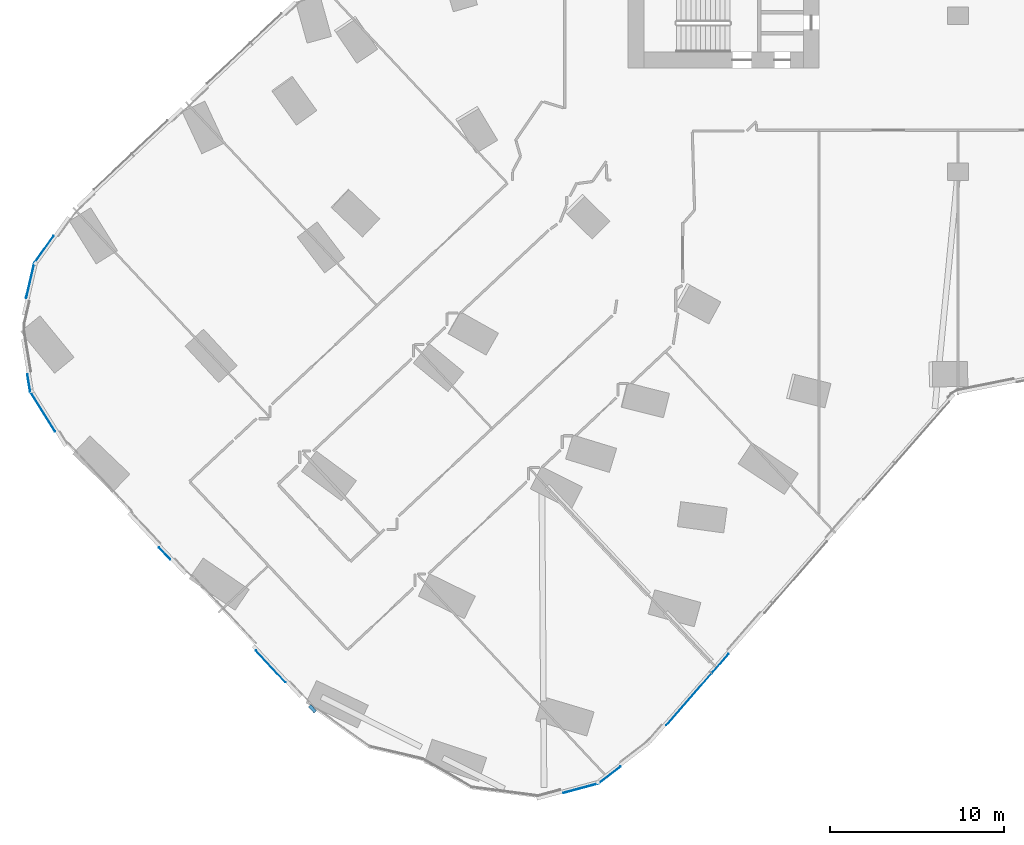
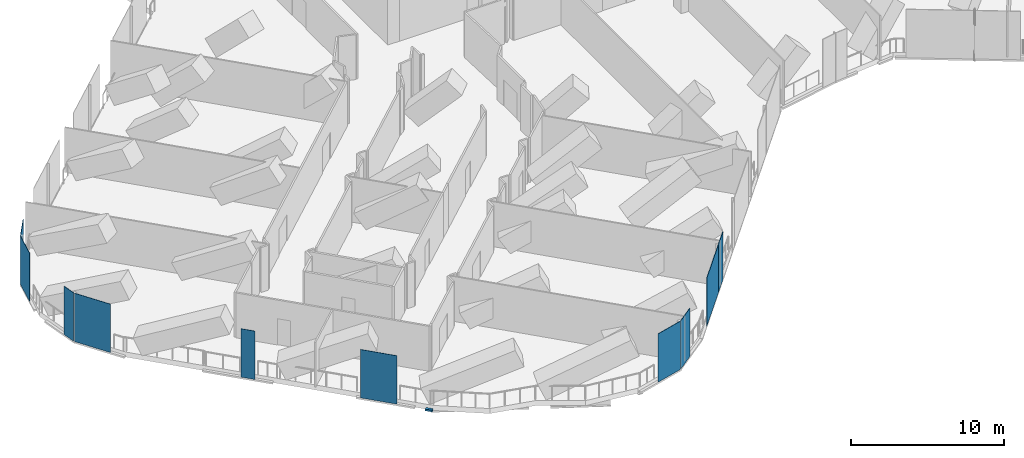
# One storey, part 15 of 31: 10 plates, 1 member, 8 elements without a shape of their own.
"""IFC4 building model written with IfcOpenShell, lengths in metres."""

from ifc_helpers import new_model, si_unit, direction, frame, origin, origin_2d, place, context, subcontext, project, spatial, rectangle, extrude, material, layer, layer_set, material_profile, profile_set, type_object, element, aggregate, save


model = new_model("IFC4")

# Units and contexts
model_context = context("Model", 3, precision=1e-05, world=origin(), true_north=direction((0.0, 1.0)))
body_context = subcontext(model_context, "Body", "Model", "MODEL_VIEW")
ifc_project = project(units=[si_unit("LENGTHUNIT", "METRE"), si_unit("AREAUNIT", "SQUARE_METRE"), si_unit("VOLUMEUNIT", "CUBIC_METRE"), si_unit("PLANEANGLEUNIT", "RADIAN"), si_unit("MASSUNIT", "GRAM", prefix="KILO")], contexts=[model_context])

# Site, building, storey
site_placement = place(None, origin())
site = spatial("IfcSite", under=ifc_project, at=site_placement, CompositionType="ELEMENT")
building_placement = place(site_placement, origin())
building = spatial("IfcBuilding", under=site, at=building_placement, Name="Orlundy Tower", CompositionType="ELEMENT")
storey_placement = place(building_placement, frame((0.0, 0.0, 54.800048828125)))
storey = spatial("IfcBuildingStorey", under=building, at=storey_placement, Name="L12", CompositionType="ELEMENT", Elevation=54.800048828125)

# Curtain wall, member
ifc_material_1 = material(Name="Aluminium bronze anodised", Category="aluminium")
curtain_wall_type = type_object("IfcCurtainWallType", Name="CW5 wall", PredefinedType="NOTDEFINED", material=ifc_material_1)
curtain_wall_1_placement = place(storey_placement, origin())
curtain_wall_1 = element("IfcCurtainWall", 1, at=curtain_wall_1_placement, inside=storey, type_object=curtain_wall_type, Name="CW5 run 07", PredefinedType="NOTDEFINED")
ifc_material_2 = material(Name="Aluminium bronze anodised", Category="aluminium")
ifc_material_profile = material_profile(ifc_material_2, rectangle(XDim=0.199951171875, YDim=0.139892578125, at=origin_2d()), Name="CW5 transom 200x140")
ifc_profile_set = profile_set([ifc_material_profile], Name="Aluminium bronze anodised")
member_type = type_object("IfcMemberType", Name="CW5 transom 200x140", PredefinedType="USERDEFINED", material=ifc_profile_set)
member_placement = place(storey_placement, frame((-37.0263671875, -49.105224609375, -0.330078125), z_axis=(-0.684193966136, 0.729300086866, 0.0), x_axis=(-0.729300086866, -0.684193966136, 0.0)))
member = element("IfcMember", 2, at=member_placement, type_object=member_type, Name="CW5 transom", ObjectType="TRANSOM", PredefinedType="USERDEFINED", context=body_context, shape_type="SweptSolid", body=[
    extrude(rectangle(XDim=0.199951171875, YDim=0.139892578125, at=origin_2d()), origin(), (0.0, 0.0, 1.0), 0.481689453125),
])

# Curtain wall, plate
curtain_wall_2_placement = place(storey_placement, origin())
curtain_wall_2 = element("IfcCurtainWall", 3, at=curtain_wall_2_placement, inside=storey, type_object=curtain_wall_type, Name="CW5 run 00", PredefinedType="NOTDEFINED")
ifc_material_3 = material(Name="Tinted glass", Category="glass")
ifc_layer_1 = layer(ifc_material_3, 0.031982421875)
ifc_layer_set_1 = layer_set([ifc_layer_1], Name="CW5 glass panel 32")
plate_type_1 = type_object("IfcPlateType", Name="CW5 glass panel 32", PredefinedType="CURTAIN_PANEL", material=ifc_layer_set_1)
plate_1_placement = place(storey_placement, frame((-15.506591796875, -48.396484375, -0.26025390625), z_axis=(0.0, 0.0, 1.0), x_axis=(-0.658258754452, -0.752791745563, 0.0)))
plate_1 = element("IfcPlate", 4, at=plate_1_placement, type_object=plate_type_1, Name="CW5 panel", PredefinedType="CURTAIN_PANEL", context=body_context, shape_type="SweptSolid", body=[
    extrude(rectangle(XDim=3.94287109375, YDim=0.031982421875, at=origin_2d()), origin(), (0.0, 0.0, 1.0), 3.860107421875),
])

curtain_wall_3_placement = place(storey_placement, origin())
curtain_wall_3 = element("IfcCurtainWall", 5, at=curtain_wall_3_placement, inside=storey, type_object=curtain_wall_type, Name="CW5 run 01", PredefinedType="NOTDEFINED")
plate_2_placement = place(storey_placement, frame((-20.079345703125, -52.748046875, -0.26025390625), z_axis=(0.0, 0.0, 1.0), x_axis=(-0.79239325108, -0.610010602893, 0.0)))
plate_2 = element("IfcPlate", 6, at=plate_2_placement, type_object=plate_type_1, Name="CW5 panel", PredefinedType="CURTAIN_PANEL", context=body_context, shape_type="SweptSolid", body=[
    extrude(rectangle(XDim=1.593505859375, YDim=0.031982421875, at=origin_2d()), origin(), (0.0, 0.0, 1.0), 3.860107421875),
])
aggregate(curtain_wall_3, [plate_2])

# Plate
plate_3_placement = place(storey_placement, frame((-39.595458984375, -46.4892578125, -0.26025390625), z_axis=(0.0, 0.0, 1.0), x_axis=(-0.684126430551, 0.729363439598, 0.0)))
plate_3 = element("IfcPlate", 7, at=plate_3_placement, type_object=plate_type_1, Name="CW5 panel", PredefinedType="CURTAIN_PANEL", context=body_context, shape_type="SweptSolid", body=[
    extrude(rectangle(XDim=2.489013671875, YDim=0.031982421875, at=origin_2d()), origin(), (0.0, 0.0, 1.0), 3.860107421875),
])

plate_4_placement = place(storey_placement, frame((-45.697509765625, -39.983642578125, -0.26025390625), z_axis=(0.0, 0.0, 1.0), x_axis=(-0.684126430551, 0.729363439598, 0.0)))
plate_4 = element("IfcPlate", 8, at=plate_4_placement, type_object=plate_type_1, Name="CW5 panel", PredefinedType="CURTAIN_PANEL", context=body_context, shape_type="SweptSolid", body=[
    extrude(rectangle(XDim=0.9375, YDim=0.031982421875, at=origin_2d()), origin(), (0.0, 0.0, 1.0), 3.860107421875),
])

aggregate(curtain_wall_1, [plate_3, plate_4, member])

# Curtain wall, plate
curtain_wall_4_placement = place(storey_placement, origin())
curtain_wall_4 = element("IfcCurtainWall", 9, at=curtain_wall_4_placement, inside=storey, type_object=curtain_wall_type, Name="CW5 run 09", PredefinedType="NOTDEFINED")
plate_5_placement = place(storey_placement, frame((-53.52734375, -30.157958984375, -0.26025390625), z_axis=(0.0, 0.0, 1.0), x_axis=(-0.163480241914, 0.986546608379, 0.0)))
plate_5 = element("IfcPlate", 10, at=plate_5_placement, type_object=plate_type_1, Name="CW5 panel", PredefinedType="CURTAIN_PANEL", context=body_context, shape_type="SweptSolid", body=[
    extrude(rectangle(XDim=0.999755859375, YDim=0.031982421875, at=origin_2d()), origin(), (0.0, 0.0, 1.0), 3.860107421875),
])
aggregate(curtain_wall_4, [plate_5])

curtain_wall_5_placement = place(storey_placement, origin())
curtain_wall_5 = element("IfcCurtainWall", 11, at=curtain_wall_5_placement, inside=storey, type_object=curtain_wall_type, Name="CW5 run 010", PredefinedType="NOTDEFINED")
plate_6_placement = place(storey_placement, frame((-53.443115234375, -24.251708984375, -0.26025390625), z_axis=(0.0, 0.0, 1.0), x_axis=(0.226317097073, 0.974053680026, 0.0)))
plate_6 = element("IfcPlate", 12, at=plate_6_placement, type_object=plate_type_1, Name="CW5 panel", PredefinedType="CURTAIN_PANEL", context=body_context, shape_type="SweptSolid", body=[
    extrude(rectangle(XDim=2.077880859375, YDim=0.031982421875, at=origin_2d()), origin(), (0.0, 0.0, 1.0), 3.860107421875),
])
aggregate(curtain_wall_5, [plate_6])

# Plate
ifc_material_4 = material(Name="Tinted glass", Category="glass")
ifc_layer_2 = layer(ifc_material_4, 0.031982421875)
ifc_layer_set_2 = layer_set([ifc_layer_2], Name="CW5 vent panel 32")
plate_type_2 = type_object("IfcPlateType", Name="CW5 vent panel 32", PredefinedType="CURTAIN_PANEL", material=ifc_layer_set_2)
plate_7_placement = place(storey_placement, frame((-13.695068359375, -46.324951171875, -0.26025390625), z_axis=(0.0, 0.0, 1.0), x_axis=(-0.658258754452, -0.752791745563, 0.0)))
plate_7 = element("IfcPlate", 13, at=plate_7_placement, type_object=plate_type_2, Name="CW5 panel", PredefinedType="CURTAIN_PANEL", context=body_context, shape_type="SweptSolid", body=[
    extrude(rectangle(XDim=1.46044921875, YDim=0.031982421875, at=origin_2d()), origin(), (0.0, 0.0, 1.0), 3.860107421875),
])

aggregate(curtain_wall_2, [plate_7, plate_1])

# Curtain wall, plate
curtain_wall_6_placement = place(storey_placement, origin())
curtain_wall_6 = element("IfcCurtainWall", 14, at=curtain_wall_6_placement, inside=storey, type_object=curtain_wall_type, Name="CW5 run 02", PredefinedType="NOTDEFINED")
plate_8_placement = place(storey_placement, frame((-21.71630859375, -53.5048828125, -0.26025390625), z_axis=(0.0, 0.0, 1.0), x_axis=(-0.965587098839, -0.26007990033, 0.0)))
plate_8 = element("IfcPlate", 15, at=plate_8_placement, type_object=plate_type_2, Name="CW5 panel", PredefinedType="CURTAIN_PANEL", context=body_context, shape_type="SweptSolid", body=[
    extrude(rectangle(XDim=2.08251953125, YDim=0.031982421875, at=origin_2d()), origin(), (0.0, 0.0, 1.0), 3.860107421875),
])
aggregate(curtain_wall_6, [plate_8])

curtain_wall_7_placement = place(storey_placement, origin())
curtain_wall_7 = element("IfcCurtainWall", 16, at=curtain_wall_7_placement, inside=storey, type_object=curtain_wall_type, Name="CW5 run 08", PredefinedType="NOTDEFINED")
plate_9_placement = place(storey_placement, frame((-52.728515625, -31.802001953125, -0.26025390625), z_axis=(0.0, 0.0, 1.0), x_axis=(-0.528785864693, 0.848755270558, 0.0)))
plate_9 = element("IfcPlate", 17, at=plate_9_placement, type_object=plate_type_2, Name="CW5 panel", PredefinedType="CURTAIN_PANEL", context=body_context, shape_type="SweptSolid", body=[
    extrude(rectangle(XDim=2.711669921875, YDim=0.031982421875, at=origin_2d()), origin(), (0.0, 0.0, 1.0), 3.860107421875),
])
aggregate(curtain_wall_7, [plate_9])

curtain_wall_8_placement = place(storey_placement, origin())
curtain_wall_8 = element("IfcCurtainWall", 18, at=curtain_wall_8_placement, inside=storey, type_object=curtain_wall_type, Name="CW5 run 011", PredefinedType="NOTDEFINED")
plate_10_placement = place(storey_placement, frame((-52.651611328125, -22.462158203125, -0.26025390625), z_axis=(0.0, 0.0, 1.0), x_axis=(0.58197810512, 0.813204454711, 0.0)))
plate_10 = element("IfcPlate", 19, at=plate_10_placement, type_object=plate_type_2, Name="CW5 panel", PredefinedType="CURTAIN_PANEL", context=body_context, shape_type="SweptSolid", body=[
    extrude(rectangle(XDim=1.912353515625, YDim=0.031982421875, at=origin_2d()), origin(), (0.0, 0.0, 1.0), 3.860107421875),
])
aggregate(curtain_wall_8, [plate_10])

save(model, "model.ifc")
